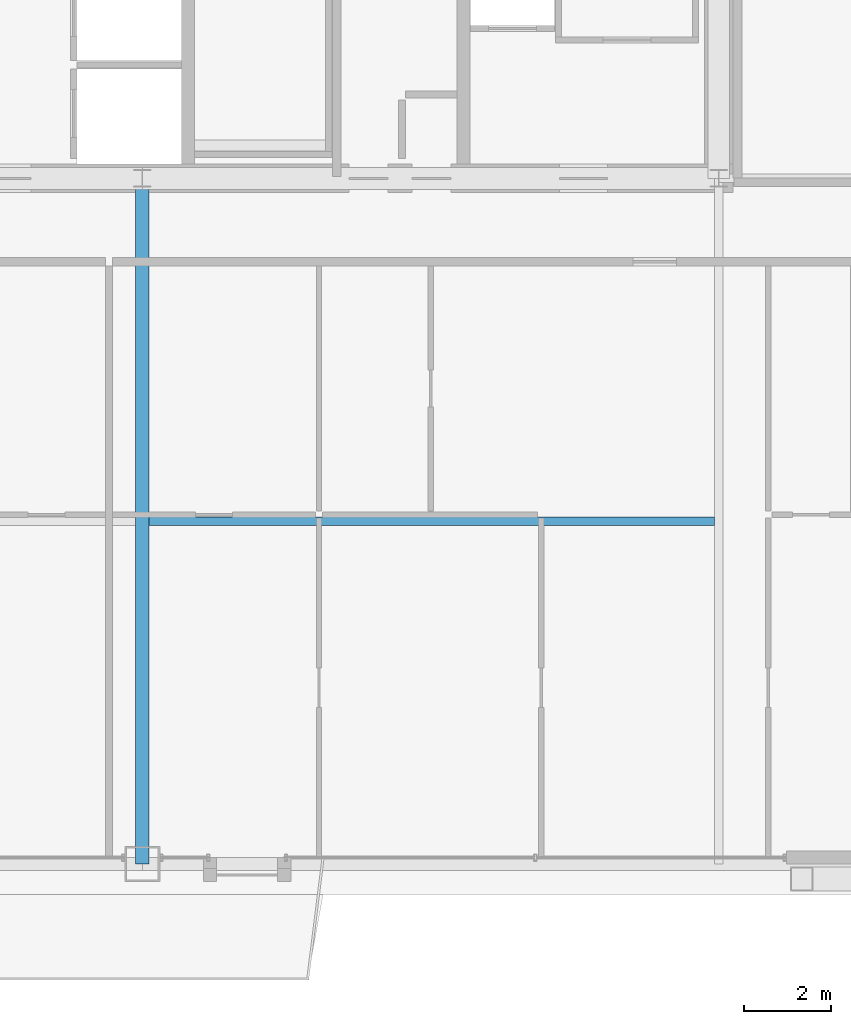
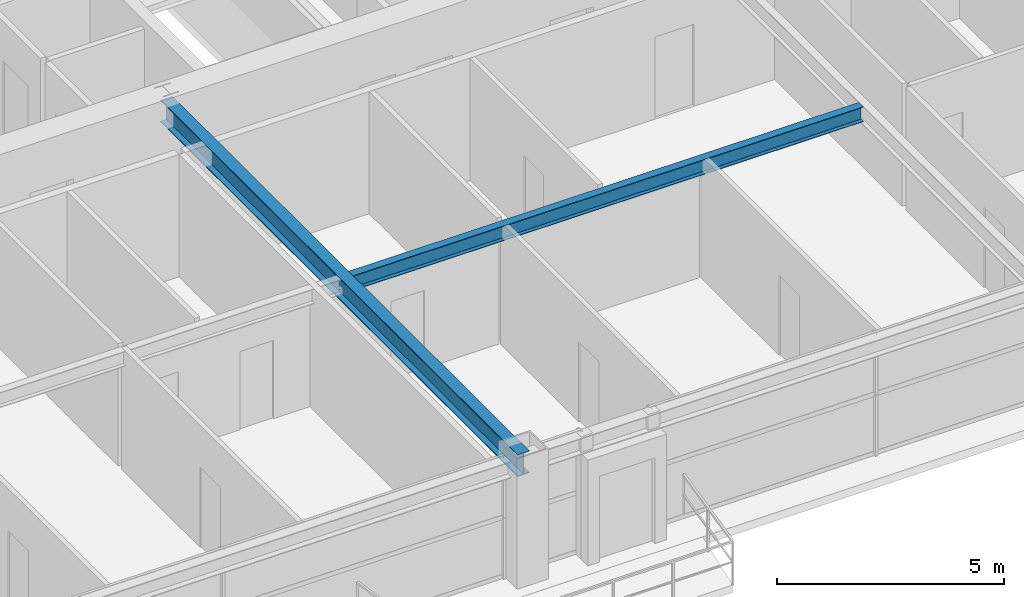
# One storey, part 13 of 45: 2 beams.
"""IFC4 building model written with IfcOpenShell, lengths in metres."""

from ifc_helpers import new_model, si_unit, direction, frame, origin, origin_2d, place, context, subcontext, project, spatial, i_section, extrude, source, transform, mapped, material, material_profile, profile_set, type_object, element, save


model = new_model("IFC4")

# Units and contexts
model_context = context("Model", 3, precision=1e-05, world=origin(), true_north=direction((0.0, 1.0)))
body_context = subcontext(model_context, "Body", "Model", "MODEL_VIEW")
ifc_project = project(units=[si_unit("LENGTHUNIT", "METRE"), si_unit("AREAUNIT", "SQUARE_METRE"), si_unit("VOLUMEUNIT", "CUBIC_METRE"), si_unit("PLANEANGLEUNIT", "RADIAN"), si_unit("MASSUNIT", "GRAM", prefix="KILO"), si_unit("THERMODYNAMICTEMPERATUREUNIT", "KELVIN"), si_unit("POWERUNIT", "WATT")], contexts=[model_context])

# Site, building, storey
site_placement = place(None, origin())
site = spatial("IfcSite", under=ifc_project, at=site_placement, CompositionType="ELEMENT")
building_placement = place(site_placement, origin())
building = spatial("IfcBuilding", under=site, at=building_placement, Name="Yuzanri Waterfront Tower", CompositionType="ELEMENT")
storey_placement = place(building_placement, frame((0.0, 0.0, 198.5)))
storey = spatial("IfcBuildingStorey", under=building, at=storey_placement, Name="L52", CompositionType="ELEMENT", Elevation=198.5)

# Beams
ifc_material_1 = material(Name="Steel Q355B", Category="steel")
ifc_material_profile_1 = material_profile(ifc_material_1, i_section(OverallWidth=0.199951171875, OverallDepth=0.39990234375, WebThickness=0.008056640625, FlangeThickness=0.012939453125, at=origin_2d()), Name="HN 400x200x8x13")
ifc_profile_set_1 = profile_set([ifc_material_profile_1], Name="Steel Q355B")
beam_type_1 = type_object("IfcBeamType", Name="Floor Joist Q355B HN 400x200", PredefinedType="JOIST", material=ifc_profile_set_1)
shared_shape_1 = source(origin(), body_context, "Body", "SweptSolid", [
    extrude(i_section(OverallWidth=0.199951171875, OverallDepth=0.39990234375, WebThickness=0.008056640625, FlangeThickness=0.012939453125, at=origin_2d()), origin(), (0.0, 0.0, 1.0), 12.9501953125),
])
beam_1_placement = place(storey_placement, frame((37.14990234375, 11.550048828125, 3.080078125), z_axis=(1.0, 0.0, 0.0), x_axis=(0.0, 1.0, 0.0)))
element("IfcBeam", 1, at=beam_1_placement, inside=storey, type_object=beam_type_1, Name="L52 South Bay Joist E", PredefinedType="JOIST", context=body_context, shape_type="MappedRepresentation", body=[
    mapped(shared_shape_1, transform((0.0, 0.0, 0.0), scale=1.0)),
])
ifc_material_2 = material(Name="Steel Q355B", Category="steel")
ifc_material_profile_2 = material_profile(ifc_material_2, i_section(OverallWidth=0.300048828125, OverallDepth=0.587890625, WebThickness=0.011962890625, FlangeThickness=0.02001953125, at=origin_2d()), Name="HM 588x300x12x20")
ifc_profile_set_2 = profile_set([ifc_material_profile_2], Name="Steel Q355B")
beam_type_2 = type_object("IfcBeamType", Name="Primary Floor Girder Q355B HM 588x300", PredefinedType="BEAM", material=ifc_profile_set_2)
shared_shape_2 = source(origin(), body_context, "Body", "SweptSolid", [
    extrude(i_section(OverallWidth=0.300048828125, OverallDepth=0.587890625, WebThickness=0.011962890625, FlangeThickness=0.02001953125, at=origin_2d()), origin(), (0.0, 0.0, 1.0), 15.699951171875),
])
beam_2_placement = place(storey_placement, frame((37.0, 19.39990234375, 2.986083984375), z_axis=(0.0, -1.0, 0.0), x_axis=(1.0, 0.0, 0.0)))
element("IfcBeam", 2, at=beam_2_placement, inside=storey, type_object=beam_type_2, Name="L52 South Grid Girder", PredefinedType="BEAM", context=body_context, shape_type="MappedRepresentation", body=[
    mapped(shared_shape_2, transform((0.0, 0.0, 0.0), scale=1.0)),
])

save(model, "model.ifc")
